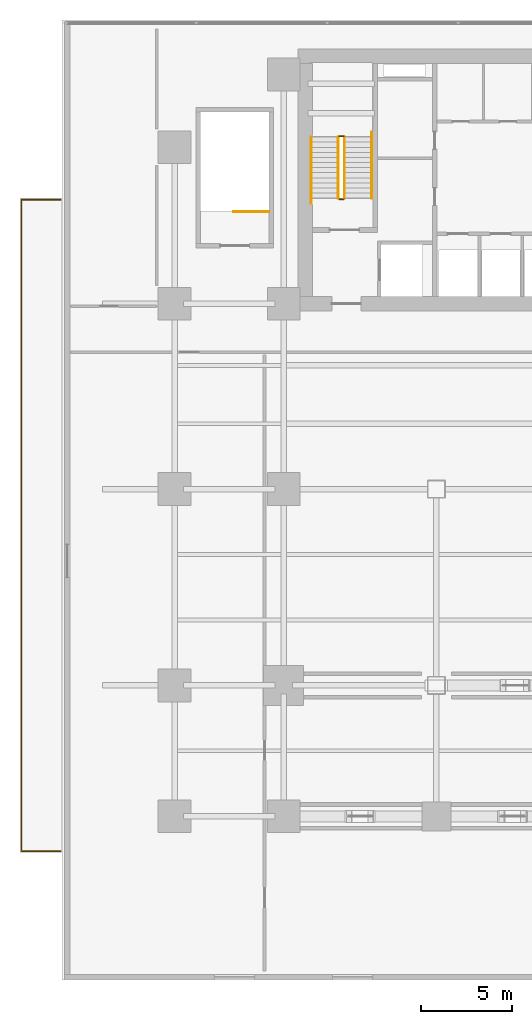
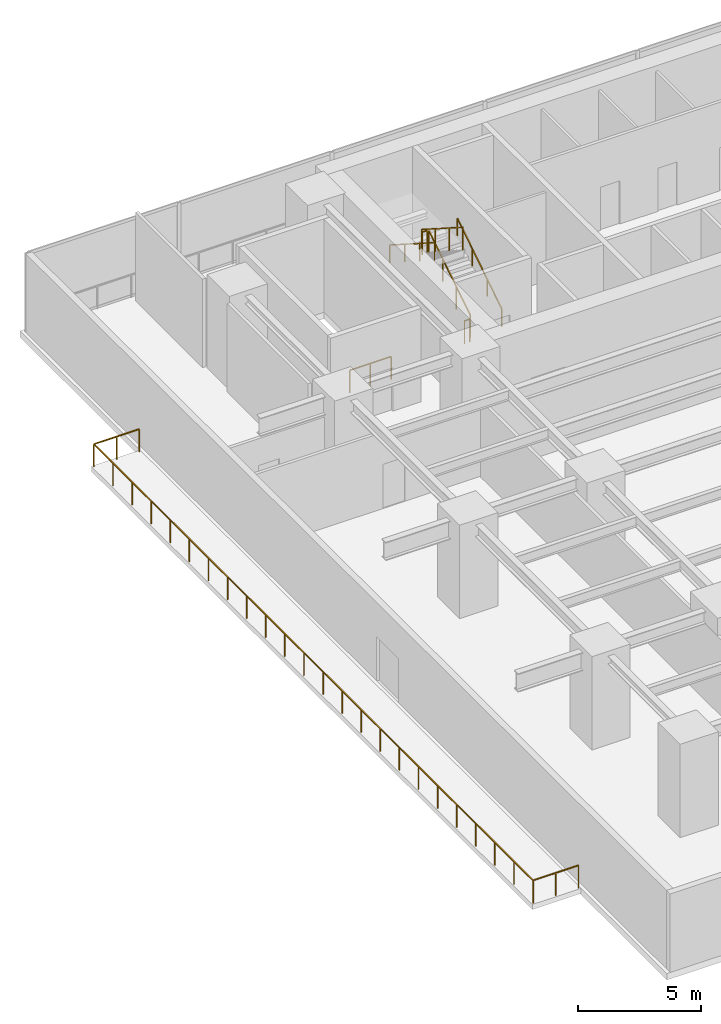
# One storey, part 12 of 15: 8 railings.
"""IFC4 building model written with IfcOpenShell, lengths in metres."""

from ifc_helpers import new_model, si_unit, direction, frame, origin, origin_2d, place, context, subcontext, project, spatial, rectangle, extrude, material, type_object, element, save


model = new_model("IFC4")

# Units and contexts
model_context = context("Model", 3, precision=1e-05, world=origin(), true_north=direction((0.0, 1.0)))
body_context = subcontext(model_context, "Body", "Model", "MODEL_VIEW")
ifc_project = project(units=[si_unit("LENGTHUNIT", "METRE"), si_unit("AREAUNIT", "SQUARE_METRE"), si_unit("VOLUMEUNIT", "CUBIC_METRE"), si_unit("PLANEANGLEUNIT", "RADIAN"), si_unit("MASSUNIT", "GRAM", prefix="KILO")], contexts=[model_context])

# Site, building, storey
site_placement = place(None, origin())
site = spatial("IfcSite", under=ifc_project, at=site_placement, CompositionType="ELEMENT")
building_placement = place(site_placement, origin())
building = spatial("IfcBuilding", under=site, at=building_placement, Name="Sumidabori Civic Tower", CompositionType="ELEMENT")
storey_placement = place(building_placement, frame((0.0, 0.0, 18.949951171875)))
storey = spatial("IfcBuildingStorey", under=building, at=storey_placement, Name="L04", CompositionType="ELEMENT", Elevation=18.949951171875)

# Railings
ifc_material_1 = material(Name="Anodised Bronze Aluminium AW-6063-T6", Category="aluminium")
railing_type_1 = type_object("IfcRailingType", Name="RL-BAL-1150", PredefinedType="BALUSTRADE", material=ifc_material_1)
railing_1_placement = place(storey_placement, frame((-29.080078125, -19.919921875, 0.0)))
element("IfcRailing", 1, at=railing_1_placement, inside=storey, type_object=railing_type_1, Name="Podium Terrace Balustrade TER-L04-W", PredefinedType="BALUSTRADE", context=body_context, shape_type="SweptSolid", body=[
    extrude(rectangle(XDim=0.048095703125, YDim=0.048095703125, at=origin_2d()), frame((0.0, 0.0, 1.1259765625), z_axis=(-1.0, 0.0, 0.0), x_axis=(0.0, -1.0, 0.0)), (0.0, 0.0, 1.0), 2.139892578125),
    extrude(rectangle(XDim=0.048095703125, YDim=0.048095703125, at=origin_2d()), frame((-2.139892578125, 0.0, 1.1259765625), z_axis=(0.0, 1.0, 0.0), x_axis=(-1.0, 0.0, 0.0)), (0.0, 0.0, 1.0), 35.83984375),
    extrude(rectangle(XDim=0.048095703125, YDim=0.048095703125, at=origin_2d()), frame((-2.139892578125, 35.83984375, 1.1259765625), z_axis=(1.0, 0.0, 0.0), x_axis=(0.0, 1.0, 0.0)), (0.0, 0.0, 1.0), 2.139892578125),
    extrude(rectangle(XDim=0.0419921875, YDim=0.0419921875, at=origin_2d()), origin(), (0.0, 0.0, 1.0), 1.101806640625),
    extrude(rectangle(XDim=0.0419921875, YDim=0.0419921875, at=origin_2d()), frame((-1.06982421875, 0.0, 0.0)), (0.0, 0.0, 1.0), 1.101806640625),
    extrude(rectangle(XDim=0.0419921875, YDim=0.0419921875, at=origin_2d()), frame((-2.139892578125, 0.0, 0.0)), (0.0, 0.0, 1.0), 1.101806640625),
    extrude(rectangle(XDim=0.0419921875, YDim=0.0419921875, at=origin_2d()), frame((-2.139892578125, 1.558349609375, 0.0)), (0.0, 0.0, 1.0), 1.101806640625),
    extrude(rectangle(XDim=0.0419921875, YDim=0.0419921875, at=origin_2d()), frame((-2.139892578125, 3.116455078125, 0.0)), (0.0, 0.0, 1.0), 1.101806640625),
    extrude(rectangle(XDim=0.0419921875, YDim=0.0419921875, at=origin_2d()), frame((-2.139892578125, 4.6748046875, 0.0)), (0.0, 0.0, 1.0), 1.101806640625),
    extrude(rectangle(XDim=0.0419921875, YDim=0.0419921875, at=origin_2d()), frame((-2.139892578125, 6.23291015625, 0.0)), (0.0, 0.0, 1.0), 1.101806640625),
    extrude(rectangle(XDim=0.0419921875, YDim=0.0419921875, at=origin_2d()), frame((-2.139892578125, 7.791259765625, 0.0)), (0.0, 0.0, 1.0), 1.101806640625),
    extrude(rectangle(XDim=0.0419921875, YDim=0.0419921875, at=origin_2d()), frame((-2.139892578125, 9.349609375, 0.0)), (0.0, 0.0, 1.0), 1.101806640625),
    extrude(rectangle(XDim=0.0419921875, YDim=0.0419921875, at=origin_2d()), frame((-2.139892578125, 10.90771484375, 0.0)), (0.0, 0.0, 1.0), 1.101806640625),
    extrude(rectangle(XDim=0.0419921875, YDim=0.0419921875, at=origin_2d()), frame((-2.139892578125, 12.466064453125, 0.0)), (0.0, 0.0, 1.0), 1.101806640625),
    extrude(rectangle(XDim=0.0419921875, YDim=0.0419921875, at=origin_2d()), frame((-2.139892578125, 14.024169921875, 0.0)), (0.0, 0.0, 1.0), 1.101806640625),
    extrude(rectangle(XDim=0.0419921875, YDim=0.0419921875, at=origin_2d()), frame((-2.139892578125, 15.58251953125, 0.0)), (0.0, 0.0, 1.0), 1.101806640625),
    extrude(rectangle(XDim=0.0419921875, YDim=0.0419921875, at=origin_2d()), frame((-2.139892578125, 17.140869140625, 0.0)), (0.0, 0.0, 1.0), 1.101806640625),
    extrude(rectangle(XDim=0.0419921875, YDim=0.0419921875, at=origin_2d()), frame((-2.139892578125, 18.698974609375, 0.0)), (0.0, 0.0, 1.0), 1.101806640625),
    extrude(rectangle(XDim=0.0419921875, YDim=0.0419921875, at=origin_2d()), frame((-2.139892578125, 20.25732421875, 0.0)), (0.0, 0.0, 1.0), 1.101806640625),
    extrude(rectangle(XDim=0.0419921875, YDim=0.0419921875, at=origin_2d()), frame((-2.139892578125, 21.815673828125, 0.0)), (0.0, 0.0, 1.0), 1.101806640625),
    extrude(rectangle(XDim=0.0419921875, YDim=0.0419921875, at=origin_2d()), frame((-2.139892578125, 23.373779296875, 0.0)), (0.0, 0.0, 1.0), 1.101806640625),
    extrude(rectangle(XDim=0.0419921875, YDim=0.0419921875, at=origin_2d()), frame((-2.139892578125, 24.93212890625, 0.0)), (0.0, 0.0, 1.0), 1.101806640625),
    extrude(rectangle(XDim=0.0419921875, YDim=0.0419921875, at=origin_2d()), frame((-2.139892578125, 26.490234375, 0.0)), (0.0, 0.0, 1.0), 1.101806640625),
    extrude(rectangle(XDim=0.0419921875, YDim=0.0419921875, at=origin_2d()), frame((-2.139892578125, 28.048583984375, 0.0)), (0.0, 0.0, 1.0), 1.101806640625),
    extrude(rectangle(XDim=0.0419921875, YDim=0.0419921875, at=origin_2d()), frame((-2.139892578125, 29.60693359375, 0.0)), (0.0, 0.0, 1.0), 1.101806640625),
    extrude(rectangle(XDim=0.0419921875, YDim=0.0419921875, at=origin_2d()), frame((-2.139892578125, 31.1650390625, 0.0)), (0.0, 0.0, 1.0), 1.101806640625),
    extrude(rectangle(XDim=0.0419921875, YDim=0.0419921875, at=origin_2d()), frame((-2.139892578125, 32.723388671875, 0.0)), (0.0, 0.0, 1.0), 1.101806640625),
    extrude(rectangle(XDim=0.0419921875, YDim=0.0419921875, at=origin_2d()), frame((-2.139892578125, 34.281494140625, 0.0)), (0.0, 0.0, 1.0), 1.101806640625),
    extrude(rectangle(XDim=0.0419921875, YDim=0.0419921875, at=origin_2d()), frame((-2.139892578125, 35.83984375, 0.0)), (0.0, 0.0, 1.0), 1.101806640625),
    extrude(rectangle(XDim=0.0419921875, YDim=0.0419921875, at=origin_2d()), frame((-1.06982421875, 35.83984375, 0.0)), (0.0, 0.0, 1.0), 1.101806640625),
    extrude(rectangle(XDim=0.0419921875, YDim=0.0419921875, at=origin_2d()), frame((0.0, 35.83984375, 0.0)), (0.0, 0.0, 1.0), 1.101806640625),
])
ifc_material_2 = material(Name="Stainless Steel Hairline Finish", Category="steel")
railing_type_2 = type_object("IfcRailingType", Name="RL-HANDRAIL", PredefinedType="HANDRAIL", material=ifc_material_2)
railing_2_placement = place(storey_placement, frame((-11.949951171875, 16.0, 0.178955078125)))
element("IfcRailing", 2, at=railing_2_placement, inside=storey, type_object=railing_type_2, Name="L04 ST-1 stair handrail 1", PredefinedType="HANDRAIL", context=body_context, shape_type="SweptSolid", body=[
    extrude(rectangle(XDim=0.048095703125, YDim=0.048095703125, at=origin_2d()), frame((0.0, 0.0, 0.8759765625), z_axis=(0.0, 0.842367842277, 0.538902976701), x_axis=(-1.0, 0.0, 0.0)), (0.0, 0.0, 1.0), 4.321044921875),
    extrude(rectangle(XDim=0.0419921875, YDim=0.0419921875, at=origin_2d()), origin(), (0.0, 0.0, 1.0), 0.851806640625),
    extrude(rectangle(XDim=0.0419921875, YDim=0.0419921875, at=origin_2d()), frame((0.0, 1.21337890625, 0.776123046875)), (0.0, 0.0, 1.0), 0.851806640625),
    extrude(rectangle(XDim=0.0419921875, YDim=0.0419921875, at=origin_2d()), frame((0.0, 2.426513671875, 1.552490234375)), (0.0, 0.0, 1.0), 0.851806640625),
    extrude(rectangle(XDim=0.0419921875, YDim=0.0419921875, at=origin_2d()), frame((0.0, 3.639892578125, 2.32861328125)), (0.0, 0.0, 1.0), 0.851806640625),
])
railing_3_placement = place(storey_placement, frame((-15.2900390625, 19.360107421875, 2.50390625)))
element("IfcRailing", 3, at=railing_3_placement, inside=storey, type_object=railing_type_2, Name="L04 ST-1 stair handrail 2", PredefinedType="HANDRAIL", context=body_context, shape_type="SweptSolid", body=[
    extrude(rectangle(XDim=0.048095703125, YDim=0.048095703125, at=origin_2d()), frame((0.0, 0.0, 0.8759765625), z_axis=(0.0, -0.842358602868, 0.538917418696), x_axis=(1.0, 0.0, 0.0)), (0.0, 0.0, 1.0), 4.3212890625),
    extrude(rectangle(XDim=0.0419921875, YDim=0.0419921875, at=origin_2d()), origin(), (0.0, 0.0, 1.0), 0.851806640625),
    extrude(rectangle(XDim=0.0419921875, YDim=0.0419921875, at=origin_2d()), frame((0.0, -1.21337890625, 0.7763671875)), (0.0, 0.0, 1.0), 0.851806640625),
    extrude(rectangle(XDim=0.0419921875, YDim=0.0419921875, at=origin_2d()), frame((0.0, -2.4267578125, 1.552490234375)), (0.0, 0.0, 1.0), 0.851806640625),
    extrude(rectangle(XDim=0.0419921875, YDim=0.0419921875, at=origin_2d()), frame((0.0, -3.64013671875, 2.328857421875)), (0.0, 0.0, 1.0), 0.851806640625),
])
ifc_material_3 = material(Name="Steel SN490", Category="steel")
railing_type_3 = type_object("IfcRailingType", Name="RL-STAIR-GUARD", PredefinedType="GUARDRAIL", material=ifc_material_3)
railing_4_placement = place(storey_placement, frame((-13.449951171875, 16.0, 0.178955078125)))
element("IfcRailing", 4, at=railing_4_placement, inside=storey, type_object=railing_type_3, Name="L04 ST-1 stair guard 1", PredefinedType="GUARDRAIL", context=body_context, shape_type="SweptSolid", body=[
    extrude(rectangle(XDim=0.048095703125, YDim=0.048095703125, at=origin_2d()), frame((0.0, 0.0, 1.1259765625), z_axis=(0.0, 0.842780368268, 0.538257606414), x_axis=(-1.0, 0.0, 0.0)), (0.0, 0.0, 1.0), 3.98681640625),
    extrude(rectangle(XDim=0.0419921875, YDim=0.0419921875, at=origin_2d()), origin(), (0.0, 0.0, 1.0), 1.101806640625),
    extrude(rectangle(XDim=0.0419921875, YDim=0.0419921875, at=origin_2d()), frame((0.0, 1.1201171875, 0.71533203125)), (0.0, 0.0, 1.0), 1.101806640625),
    extrude(rectangle(XDim=0.0419921875, YDim=0.0419921875, at=origin_2d()), frame((0.0, 2.239990234375, 1.4306640625)), (0.0, 0.0, 1.0), 1.101806640625),
    extrude(rectangle(XDim=0.0419921875, YDim=0.0419921875, at=origin_2d()), frame((0.0, 3.360107421875, 2.14599609375)), (0.0, 0.0, 1.0), 1.101806640625),
])
railing_5_placement = place(storey_placement, frame((-13.5, 19.409912109375, 2.324951171875)))
element("IfcRailing", 5, at=railing_5_placement, inside=storey, type_object=railing_type_3, Name="L04 ST-1 stair guard 2", PredefinedType="GUARDRAIL", context=body_context, shape_type="SweptSolid", body=[
    extrude(rectangle(XDim=0.048095703125, YDim=0.048095703125, at=origin_2d()), frame((0.0, 0.0, 1.1259765625), z_axis=(-1.0, 0.0, 0.0), x_axis=(0.0, -1.0, 0.0)), (0.0, 0.0, 1.0), 0.239990234375),
    extrude(rectangle(XDim=0.0419921875, YDim=0.0419921875, at=origin_2d()), origin(), (0.0, 0.0, 1.0), 1.101806640625),
    extrude(rectangle(XDim=0.0419921875, YDim=0.0419921875, at=origin_2d()), frame((-0.239990234375, 0.0, 0.0)), (0.0, 0.0, 1.0), 1.101806640625),
])
railing_6_placement = place(storey_placement, frame((-13.7900390625, 19.360107421875, 2.50390625)))
element("IfcRailing", 6, at=railing_6_placement, inside=storey, type_object=railing_type_3, Name="L04 ST-1 stair guard 3", PredefinedType="GUARDRAIL", context=body_context, shape_type="SweptSolid", body=[
    extrude(rectangle(XDim=0.048095703125, YDim=0.048095703125, at=origin_2d()), frame((0.0, 0.0, 1.1259765625), z_axis=(0.0, -0.842752589747, 0.538301098341), x_axis=(1.0, 0.0, 0.0)), (0.0, 0.0, 1.0), 3.987060546875),
    extrude(rectangle(XDim=0.0419921875, YDim=0.0419921875, at=origin_2d()), origin(), (0.0, 0.0, 1.0), 1.101806640625),
    extrude(rectangle(XDim=0.0419921875, YDim=0.0419921875, at=origin_2d()), frame((0.0, -1.1201171875, 0.71533203125)), (0.0, 0.0, 1.0), 1.101806640625),
    extrude(rectangle(XDim=0.0419921875, YDim=0.0419921875, at=origin_2d()), frame((0.0, -2.239990234375, 1.430908203125)), (0.0, 0.0, 1.0), 1.101806640625),
    extrude(rectangle(XDim=0.0419921875, YDim=0.0419921875, at=origin_2d()), frame((0.0, -3.360107421875, 2.146240234375)), (0.0, 0.0, 1.0), 1.101806640625),
])
railing_7_placement = place(storey_placement, frame((-13.5, 15.949951171875, 0.0)))
element("IfcRailing", 7, at=railing_7_placement, inside=storey, type_object=railing_type_3, Name="L04 ST-1 stair guard 4", PredefinedType="GUARDRAIL", context=body_context, shape_type="SweptSolid", body=[
    extrude(rectangle(XDim=0.048095703125, YDim=0.048095703125, at=origin_2d()), frame((0.0, 0.0, 1.1259765625), z_axis=(-1.0, 0.0, 0.0), x_axis=(0.0, -1.0, 0.0)), (0.0, 0.0, 1.0), 0.239990234375),
    extrude(rectangle(XDim=0.0419921875, YDim=0.0419921875, at=origin_2d()), origin(), (0.0, 0.0, 1.0), 1.101806640625),
    extrude(rectangle(XDim=0.0419921875, YDim=0.0419921875, at=origin_2d()), frame((-0.239990234375, 0.0, 0.0)), (0.0, 0.0, 1.0), 1.101806640625),
])
railing_8_placement = place(storey_placement, frame((-17.60009765625, 15.25, 0.0)))
element("IfcRailing", 8, at=railing_8_placement, inside=storey, type_object=railing_type_3, Name="L04 ST-3 top well guard 1", PredefinedType="GUARDRAIL", context=body_context, shape_type="SweptSolid", body=[
    extrude(rectangle(XDim=0.048095703125, YDim=0.048095703125, at=origin_2d()), frame((0.0, 0.0, 1.1259765625), z_axis=(-1.0, 0.0, 0.0), x_axis=(0.0, -1.0, 0.0)), (0.0, 0.0, 1.0), 1.9599609375),
    extrude(rectangle(XDim=0.0419921875, YDim=0.0419921875, at=origin_2d()), origin(), (0.0, 0.0, 1.0), 1.101806640625),
    extrude(rectangle(XDim=0.0419921875, YDim=0.0419921875, at=origin_2d()), frame((-0.97998046875, 0.0, 0.0)), (0.0, 0.0, 1.0), 1.101806640625),
    extrude(rectangle(XDim=0.0419921875, YDim=0.0419921875, at=origin_2d()), frame((-1.9599609375, 0.0, 0.0)), (0.0, 0.0, 1.0), 1.101806640625),
])

save(model, "model.ifc")
